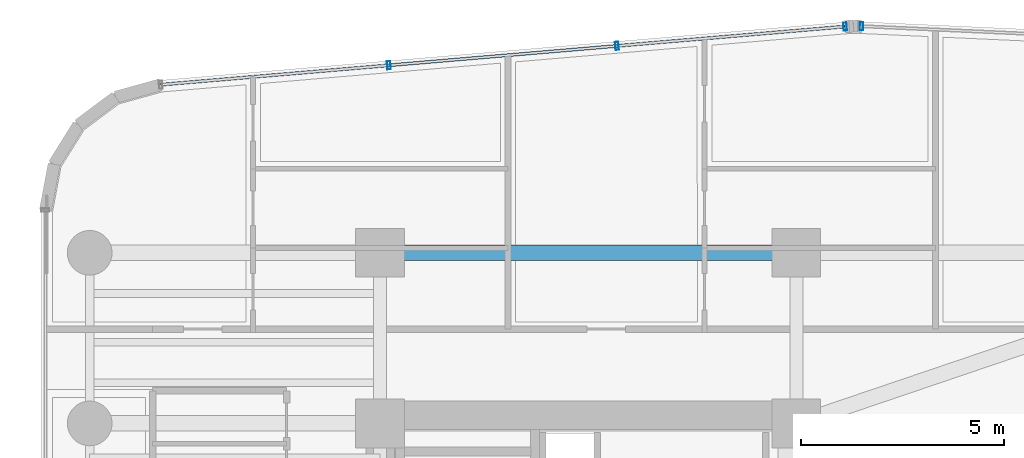
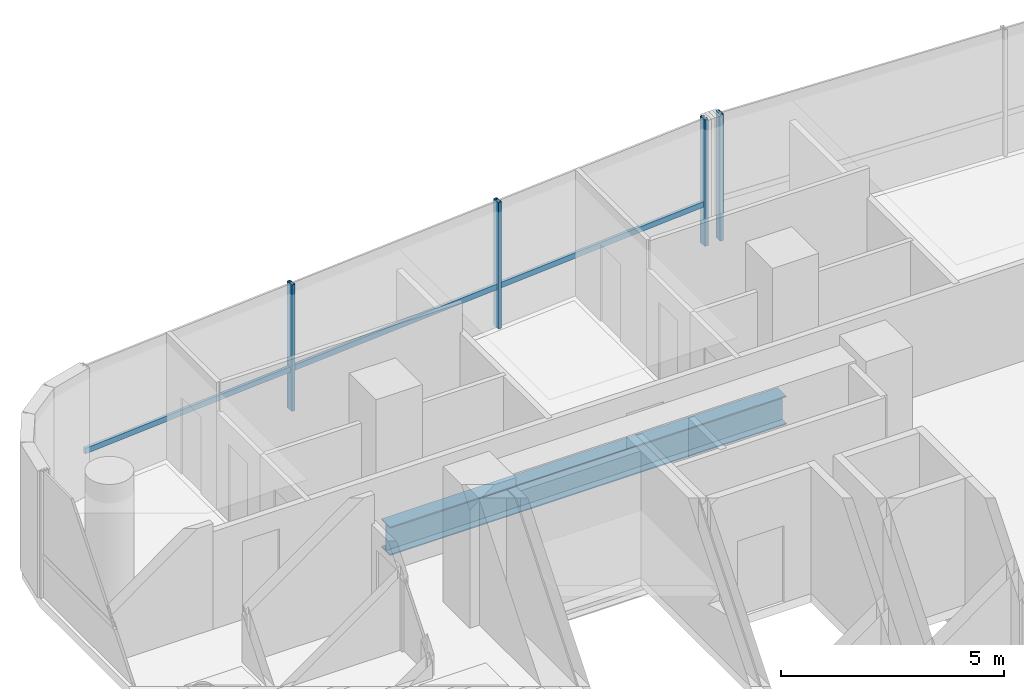
# One storey, part 21 of 37: 5 members, 1 beam, 2 elements without a shape of their own.
"""IFC4 building model written with IfcOpenShell, lengths in metres."""

from ifc_helpers import new_model, si_unit, direction, frame, origin, origin_2d, place, context, subcontext, project, spatial, hollow_rectangle, i_section, extrude, source, transform, mapped, material, material_profile, profile_set, type_object, element, aggregate, save


model = new_model("IFC4")

# Units and contexts
model_context = context("Model", 3, precision=1e-05, world=origin(), true_north=direction((0.0, 1.0)))
body_context = subcontext(model_context, "Body", "Model", "MODEL_VIEW")
ifc_project = project(units=[si_unit("LENGTHUNIT", "METRE"), si_unit("AREAUNIT", "SQUARE_METRE"), si_unit("VOLUMEUNIT", "CUBIC_METRE"), si_unit("PLANEANGLEUNIT", "RADIAN"), si_unit("MASSUNIT", "GRAM", prefix="KILO")], contexts=[model_context])

# Site, building, storey
site_placement = place(None, origin())
site = spatial("IfcSite", under=ifc_project, at=site_placement, CompositionType="ELEMENT")
building_placement = place(site_placement, origin())
building = spatial("IfcBuilding", under=site, at=building_placement, Name="Valdorenza Pilgrim Sanctuary Tower", CompositionType="ELEMENT")
storey_placement = place(building_placement, frame((0.0, 0.0, 127.89990234375)))
storey = spatial("IfcBuildingStorey", under=building, at=storey_placement, Name="L32", CompositionType="ELEMENT", Elevation=127.89990234375)

# Beam
ifc_material_1 = material(Name="Steel ASTM A992 Grade 50", Category="steel")
ifc_material_profile_1 = material_profile(ifc_material_1, i_section(OverallWidth=0.382080078125, OverallDepth=0.779052734375, WebThickness=0.01806640625, FlangeThickness=0.030029296875, at=origin_2d()), Name="W30X191")
ifc_profile_set_1 = profile_set([ifc_material_profile_1], Name="Steel ASTM A992 Grade 50")
beam_type = type_object("IfcBeamType", Name="STR-BM-GRD-W30", PredefinedType="BEAM", material=ifc_profile_set_1)
shared_shape_1 = source(origin(), body_context, "Body", "SweptSolid", [
    extrude(i_section(OverallWidth=0.382080078125, OverallDepth=0.779052734375, WebThickness=0.01806640625, FlangeThickness=0.030029296875, at=origin_2d()), origin(), (0.0, 0.0, 1.0), 10.25),
])
beam_placement = place(storey_placement, frame((-22.64990234375, 14.800048828125, -0.62939453125), z_axis=(1.0, 0.0, 0.0), x_axis=(0.0, 1.0, 0.0)))
element("IfcBeam", 1, at=beam_placement, inside=storey, type_object=beam_type, Name="L32 Floor Girder CA-XC-N2", PredefinedType="BEAM", context=body_context, shape_type="MappedRepresentation", body=[
    mapped(shared_shape_1, transform((0.0, 0.0, 0.0), x_axis=(1.0, 0.0, 0.0), y_axis=(0.0, 1.0, 0.0), z_axis=(0.0, 0.0, 1.0), scale=1.0)),
])

# Curtain wall, members
ifc_material_2 = material(Name="Curtain-wall IGU glazing", Category="glass")
curtain_wall_type = type_object("IfcCurtainWallType", Name="CW-SYS-02", PredefinedType="NOTDEFINED", material=ifc_material_2)
curtain_wall_1_placement = place(storey_placement, origin())
curtain_wall_1 = element("IfcCurtainWall", 2, at=curtain_wall_1_placement, inside=storey, type_object=curtain_wall_type, Name="L32 Curtain Wall CW-L32-1-6", PredefinedType="NOTDEFINED")
ifc_material_3 = material(Name="Anodised aluminium AW-6060", Category="aluminium")
ifc_material_profile_2 = material_profile(ifc_material_3, hollow_rectangle(XDim=0.0849609375, YDim=0.199951171875, WallThickness=0.0048828125, at=origin_2d()), Name="ALU-M 200x85x5")
ifc_profile_set_2 = profile_set([ifc_material_profile_2], Name="Anodised aluminium AW-6060")
member_type_1 = type_object("IfcMemberType", Name="CW-MUL-02", PredefinedType="MULLION", material=ifc_profile_set_2)
shared_shape_2 = source(origin(), body_context, "Body", "SweptSolid", [
    extrude(hollow_rectangle(XDim=0.0849609375, YDim=0.199951171875, WallThickness=0.0048828125, at=origin_2d()), origin(), (0.0, 0.0, 1.0), 3.460205078125),
])
member_1_placement = place(storey_placement, frame((-22.43408203125, 19.417724609375, 0.0), z_axis=(0.0, 0.0, 1.0), x_axis=(0.99640764237, 0.084686541006, 0.0)))
member_1 = element("IfcMember", 3, at=member_1_placement, type_object=member_type_1, Name="CW-L32-1-6 Mullion 2", PredefinedType="MULLION", context=body_context, shape_type="MappedRepresentation", body=[
    mapped(shared_shape_2, transform((0.0, 0.0, 0.0), x_axis=(1.0, 0.0, 0.0), y_axis=(0.0, 1.0, 0.0), z_axis=(0.0, 0.0, 1.0), scale=1.0)),
])
member_2_placement = place(storey_placement, frame((-16.81689453125, 19.895263671875, 0.0), z_axis=(0.0, 0.0, 1.0), x_axis=(0.99640764237, 0.084686541006, 0.0)))
member_2 = element("IfcMember", 4, at=member_2_placement, type_object=member_type_1, Name="CW-L32-1-6 Mullion 3", PredefinedType="MULLION", context=body_context, shape_type="MappedRepresentation", body=[
    mapped(shared_shape_2, transform((0.0, 0.0, 0.0), x_axis=(1.0, 0.0, 0.0), y_axis=(0.0, 1.0, 0.0), z_axis=(0.0, 0.0, 1.0), scale=1.0)),
])
member_3_placement = place(storey_placement, frame((-11.199462890625, 20.37255859375, 0.0), z_axis=(0.0, 0.0, 1.0), x_axis=(0.99640764237, 0.084686541006, 0.0)))
member_3 = element("IfcMember", 5, at=member_3_placement, type_object=member_type_1, Name="CW-L32-1-6 Mullion 4", PredefinedType="MULLION", context=body_context, shape_type="MappedRepresentation", body=[
    mapped(shared_shape_2, transform((0.0, 0.0, 0.0), x_axis=(1.0, 0.0, 0.0), y_axis=(0.0, 1.0, 0.0), z_axis=(0.0, 0.0, 1.0), scale=1.0)),
])

# Curtain wall, member
curtain_wall_2_placement = place(storey_placement, origin())
curtain_wall_2 = element("IfcCurtainWall", 6, at=curtain_wall_2_placement, inside=storey, type_object=curtain_wall_type, Name="L32 Curtain Wall CW-L32-1-11", PredefinedType="NOTDEFINED")
member_4_placement = place(storey_placement, frame((-10.795654296875, 20.380615234375, 0.0), z_axis=(0.0, 0.0, 1.0), x_axis=(0.998968193221, -0.045415294044, 0.0)))
member_4 = element("IfcMember", 7, at=member_4_placement, type_object=member_type_1, Name="CW-L32-1-11 Mullion 1", PredefinedType="MULLION", context=body_context, shape_type="MappedRepresentation", body=[
    mapped(shared_shape_2, transform((0.0, 0.0, 0.0), x_axis=(1.0, 0.0, 0.0), y_axis=(0.0, 1.0, 0.0), z_axis=(0.0, 0.0, 1.0), scale=1.0)),
])
aggregate(curtain_wall_2, [member_4])

# Member
ifc_material_profile_3 = material_profile(ifc_material_3, hollow_rectangle(XDim=0.074951171875, YDim=0.14990234375, WallThickness=0.00390625, at=origin_2d()), Name="ALU-T 150x75x4")
ifc_profile_set_3 = profile_set([ifc_material_profile_3], Name="Anodised aluminium AW-6060")
member_type_2 = type_object("IfcMemberType", Name="CW-TRN-02", PredefinedType="USERDEFINED", material=ifc_profile_set_3)
shared_shape_3 = source(origin(), body_context, "Body", "SweptSolid", [
    extrude(hollow_rectangle(XDim=0.074951171875, YDim=0.14990234375, WallThickness=0.00390625, at=origin_2d()), origin(), (0.0, 0.0, 1.0), 16.912841796875),
])
member_5_placement = place(storey_placement, frame((-28.051513671875, 18.940185546875, 1.1201171875), z_axis=(0.996407213932, 0.084691581783, 0.0), x_axis=(-0.084691581783, 0.996407213932, 0.0)))
member_5 = element("IfcMember", 8, at=member_5_placement, type_object=member_type_2, Name="CW-L32-1-6 Transom 1", ObjectType="TRANSOM", PredefinedType="USERDEFINED", context=body_context, shape_type="MappedRepresentation", body=[
    mapped(shared_shape_3, transform((0.0, 0.0, 0.0), x_axis=(1.0, 0.0, 0.0), y_axis=(0.0, 1.0, 0.0), z_axis=(0.0, 0.0, 1.0), scale=1.0)),
])

aggregate(curtain_wall_1, [member_1, member_2, member_3, member_5])

save(model, "model.ifc")
